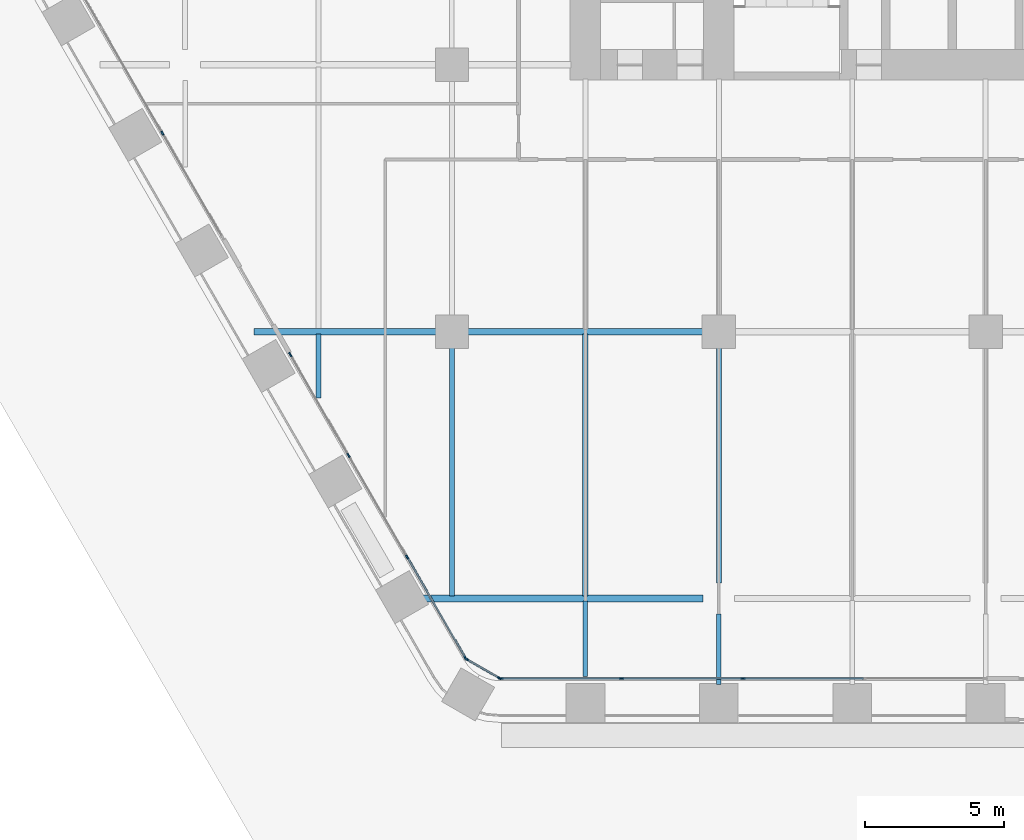
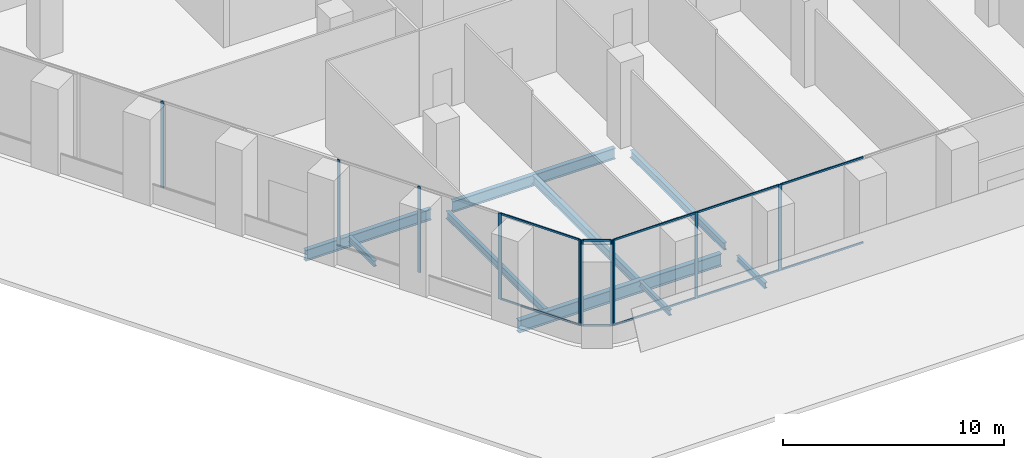
# One storey, part 2 of 29: 20 members, 9 beams, 4 elements without a shape of their own.
"""IFC4 building model written with IfcOpenShell, lengths in metres."""

from ifc_helpers import new_model, si_unit, direction, frame, origin, origin_2d, place, context, subcontext, project, spatial, rectangle, i_section, extrude, material, material_profile, profile_set, type_object, element, aggregate, save


model = new_model("IFC4")

# Units and contexts
model_context = context("Model", 3, precision=1e-05, world=origin(), true_north=direction((0.0, 1.0)))
body_context = subcontext(model_context, "Body", "Model", "MODEL_VIEW")
ifc_project = project(units=[si_unit("LENGTHUNIT", "METRE"), si_unit("AREAUNIT", "SQUARE_METRE"), si_unit("VOLUMEUNIT", "CUBIC_METRE"), si_unit("PLANEANGLEUNIT", "RADIAN"), si_unit("MASSUNIT", "GRAM", prefix="KILO")], contexts=[model_context])

# Site, building, storey
site_placement = place(None, origin())
site = spatial("IfcSite", under=ifc_project, at=site_placement, CompositionType="ELEMENT")
building_placement = place(site_placement, origin())
building = spatial("IfcBuilding", under=site, at=building_placement, Name="Kolab Exchange Tower", CompositionType="ELEMENT")
storey_placement = place(building_placement, frame((0.0, 0.0, 17.39990234375)))
storey = spatial("IfcBuildingStorey", under=building, at=storey_placement, Name="L03", CompositionType="ELEMENT", Elevation=17.39990234375)

# Beams
ifc_material_1 = material(Name="Steel S355", Category="steel")
ifc_material_profile_1 = material_profile(ifc_material_1, i_section(OverallWidth=0.1650390625, OverallDepth=0.31005859375, WebThickness=0.005859375, FlangeThickness=0.009765625, at=origin_2d()), Name="W310X39")
ifc_profile_set_1 = profile_set([ifc_material_profile_1], Name="Steel S355")
beam_type_1 = type_object("IfcBeamType", Name="FLOOR BEAM W310X39", PredefinedType="BEAM", material=ifc_profile_set_1)
beam_1_placement = place(storey_placement, frame((-24.0, -21.58154296875, -0.40478515625), z_axis=(0.0, 1.0, 0.0), x_axis=(-1.0, 0.0, 0.0)))
element("IfcBeam", 1, at=beam_1_placement, inside=storey, type_object=beam_type_1, Name="beam/L03/fr/006", PredefinedType="BEAM", context=body_context, shape_type="SweptSolid", body=[
    extrude(i_section(OverallWidth=0.1650390625, OverallDepth=0.31005859375, WebThickness=0.005859375, FlangeThickness=0.009765625, at=origin_2d()), origin(), (0.0, 0.0, 1.0), 2.3076171875),
])
beam_2_placement = place(storey_placement, frame((-14.39990234375, -31.595458984375, -0.40478515625), z_axis=(0.0, 1.0, 0.0), x_axis=(-1.0, 0.0, 0.0)))
element("IfcBeam", 2, at=beam_2_placement, inside=storey, type_object=beam_type_1, Name="beam/L03/fr/019", PredefinedType="BEAM", context=body_context, shape_type="SweptSolid", body=[
    extrude(i_section(OverallWidth=0.1650390625, OverallDepth=0.31005859375, WebThickness=0.005859375, FlangeThickness=0.009765625, at=origin_2d()), origin(), (0.0, 0.0, 1.0), 2.70849609375),
])
beam_3_placement = place(storey_placement, frame((-9.60009765625, -31.8955078125, -0.40478515625), z_axis=(0.0, 1.0, 0.0), x_axis=(-1.0, 0.0, 0.0)))
element("IfcBeam", 3, at=beam_3_placement, inside=storey, type_object=beam_type_1, Name="beam/L03/fr/025", PredefinedType="BEAM", context=body_context, shape_type="SweptSolid", body=[
    extrude(i_section(OverallWidth=0.1650390625, OverallDepth=0.31005859375, WebThickness=0.005859375, FlangeThickness=0.009765625, at=origin_2d()), origin(), (0.0, 0.0, 1.0), 2.535400390625),
])
ifc_material_profile_2 = material_profile(ifc_material_1, i_section(OverallWidth=0.177978515625, OverallDepth=0.406982421875, WebThickness=0.0078125, FlangeThickness=0.0126953125, at=origin_2d()), Name="W410X60")
ifc_profile_set_2 = profile_set([ifc_material_profile_2], Name="Steel S355")
beam_type_2 = type_object("IfcBeamType", Name="FLOOR BEAM W410X60", PredefinedType="BEAM", material=ifc_profile_set_2)
beam_4_placement = place(storey_placement, frame((-19.199951171875, -28.712890625, -0.453369140625), z_axis=(0.0, 1.0, 0.0), x_axis=(-1.0, 0.0, 0.0)))
element("IfcBeam", 4, at=beam_4_placement, inside=storey, type_object=beam_type_2, Name="beam/L03/fr/012", PredefinedType="BEAM", context=body_context, shape_type="SweptSolid", body=[
    extrude(i_section(OverallWidth=0.177978515625, OverallDepth=0.406982421875, WebThickness=0.0078125, FlangeThickness=0.0126953125, at=origin_2d()), origin(), (0.0, 0.0, 1.0), 8.952880859375),
])
beam_5_placement = place(storey_placement, frame((-9.60009765625, -28.239990234375, -0.453369140625), z_axis=(0.0, 1.0, 0.0), x_axis=(-1.0, 0.0, 0.0)))
element("IfcBeam", 5, at=beam_5_placement, inside=storey, type_object=beam_type_2, Name="beam/L03/fr/026", PredefinedType="BEAM", context=body_context, shape_type="SweptSolid", body=[
    extrude(i_section(OverallWidth=0.177978515625, OverallDepth=0.406982421875, WebThickness=0.0078125, FlangeThickness=0.0126953125, at=origin_2d()), origin(), (0.0, 0.0, 1.0), 8.47998046875),
])
ifc_material_profile_3 = material_profile(ifc_material_1, i_section(OverallWidth=0.18994140625, OverallDepth=0.45703125, WebThickness=0.009033203125, FlangeThickness=0.014404296875, at=origin_2d()), Name="W460X74")
ifc_profile_set_3 = profile_set([ifc_material_profile_3], Name="Steel S355")
beam_type_3 = type_object("IfcBeamType", Name="FLOOR BEAM W460X74", PredefinedType="BEAM", material=ifc_profile_set_3)
beam_6_placement = place(storey_placement, frame((-14.39990234375, -28.712890625, -0.478515625), z_axis=(0.0, 1.0, 0.0), x_axis=(-1.0, 0.0, 0.0)))
element("IfcBeam", 6, at=beam_6_placement, inside=storey, type_object=beam_type_3, Name="beam/L03/fr/020", PredefinedType="BEAM", context=body_context, shape_type="SweptSolid", body=[
    extrude(i_section(OverallWidth=0.18994140625, OverallDepth=0.45703125, WebThickness=0.009033203125, FlangeThickness=0.014404296875, at=origin_2d()), origin(), (0.0, 0.0, 1.0), 9.43896484375),
])
ifc_material_profile_4 = material_profile(ifc_material_1, i_section(OverallWidth=0.22802734375, OverallDepth=0.60791015625, WebThickness=0.01123046875, FlangeThickness=0.017333984375, at=origin_2d()), Name="W610X113")
ifc_profile_set_4 = profile_set([ifc_material_profile_4], Name="Steel S355")
beam_type_4 = type_object("IfcBeamType", Name="FLOOR GIRDER W610X113", PredefinedType="BEAM", material=ifc_profile_set_4)
beam_7_placement = place(storey_placement, frame((-26.315673828125, -19.199951171875, -0.553955078125), z_axis=(1.0, 0.0, 0.0), x_axis=(0.0, 1.0, 0.0)))
element("IfcBeam", 7, at=beam_7_placement, inside=storey, type_object=beam_type_4, Name="beam/L03/gd/005", PredefinedType="BEAM", context=body_context, shape_type="SweptSolid", body=[
    extrude(i_section(OverallWidth=0.22802734375, OverallDepth=0.60791015625, WebThickness=0.01123046875, FlangeThickness=0.017333984375, at=origin_2d()), origin(), (0.0, 0.0, 1.0), 6.5556640625),
])
beam_8_placement = place(storey_placement, frame((-18.639892578125, -19.199951171875, -0.553955078125), z_axis=(1.0, 0.0, 0.0), x_axis=(0.0, 1.0, 0.0)))
element("IfcBeam", 8, at=beam_8_placement, inside=storey, type_object=beam_type_4, Name="beam/L03/gd/009", PredefinedType="BEAM", context=body_context, shape_type="SweptSolid", body=[
    extrude(i_section(OverallWidth=0.22802734375, OverallDepth=0.60791015625, WebThickness=0.01123046875, FlangeThickness=0.017333984375, at=origin_2d()), origin(), (0.0, 0.0, 1.0), 8.47998046875),
])
ifc_material_profile_5 = material_profile(ifc_material_1, i_section(OverallWidth=0.25390625, OverallDepth=0.68408203125, WebThickness=0.012451171875, FlangeThickness=0.018798828125, at=origin_2d()), Name="W690X140")
ifc_profile_set_5 = profile_set([ifc_material_profile_5], Name="Steel S355")
beam_type_5 = type_object("IfcBeamType", Name="FLOOR GIRDER W690X140", PredefinedType="BEAM", material=ifc_profile_set_5)
beam_9_placement = place(storey_placement, frame((-20.757080078125, -28.800048828125, -0.591796875), z_axis=(1.0, 0.0, 0.0), x_axis=(0.0, 1.0, 0.0)))
element("IfcBeam", 9, at=beam_9_placement, inside=storey, type_object=beam_type_5, Name="beam/L03/gd/007", PredefinedType="BEAM", context=body_context, shape_type="SweptSolid", body=[
    extrude(i_section(OverallWidth=0.25390625, OverallDepth=0.68408203125, WebThickness=0.012451171875, FlangeThickness=0.018798828125, at=origin_2d()), origin(), (0.0, 0.0, 1.0), 10.59716796875),
])

# Curtain wall, members
ifc_material_2 = material(Name="Aluminium EN AW-6063 T6", Category="aluminium")
curtain_wall_type = type_object("IfcCurtainWallType", Name="UNITISED LOW ZONE CURTAIN WALL", PredefinedType="NOTDEFINED", material=ifc_material_2)
curtain_wall_1_placement = place(storey_placement, origin())
curtain_wall_1 = element("IfcCurtainWall", 10, at=curtain_wall_1_placement, inside=storey, type_object=curtain_wall_type, Name="cw/L03/F4-2", PredefinedType="NOTDEFINED")
ifc_material_profile_6 = material_profile(ifc_material_2, rectangle(XDim=0.06005859375, YDim=0.159912109375, at=origin_2d()), Name="RECT 60X160")
ifc_profile_set_6 = profile_set([ifc_material_profile_6], Name="Aluminium EN AW-6063 T6")
member_type_1 = type_object("IfcMemberType", Name="UNITISED LOW ZONE MULLION 60 X 160", PredefinedType="MULLION", material=ifc_profile_set_6)
member_1_placement = place(storey_placement, frame((-8.73388671875, -31.67529296875, 0.0), z_axis=(0.0, 0.0, 1.0), x_axis=(0.0, -1.0, 0.0)))
member_1 = element("IfcMember", 11, at=member_1_placement, type_object=member_type_1, Name="CW1 mullion 3", PredefinedType="MULLION", context=body_context, shape_type="SweptSolid", body=[
    extrude(rectangle(XDim=0.06005859375, YDim=0.159912109375, at=origin_2d()), origin(), (0.0, 0.0, 1.0), 4.75),
])
member_2_placement = place(storey_placement, frame((-13.10107421875, -31.67529296875, 0.0), z_axis=(0.0, 0.0, 1.0), x_axis=(0.0, -1.0, 0.0)))
member_2 = element("IfcMember", 12, at=member_2_placement, type_object=member_type_1, Name="CW1 mullion 4", PredefinedType="MULLION", context=body_context, shape_type="SweptSolid", body=[
    extrude(rectangle(XDim=0.06005859375, YDim=0.159912109375, at=origin_2d()), origin(), (0.0, 0.0, 1.0), 4.75),
])
member_3_placement = place(storey_placement, frame((-17.43798828125, -31.67529296875, 0.0), z_axis=(0.0, 0.0, 1.0), x_axis=(0.0, -1.0, 0.0)))
member_3 = element("IfcMember", 13, at=member_3_placement, type_object=member_type_1, Name="CW1 mullion 5", PredefinedType="MULLION", context=body_context, shape_type="SweptSolid", body=[
    extrude(rectangle(XDim=0.06005859375, YDim=0.159912109375, at=origin_2d()), origin(), (0.0, 0.0, 1.0), 4.75),
])

curtain_wall_2_placement = place(storey_placement, origin())
curtain_wall_2 = element("IfcCurtainWall", 14, at=curtain_wall_2_placement, inside=storey, type_object=curtain_wall_type, Name="cw/L03/F5-1", PredefinedType="NOTDEFINED")
member_4_placement = place(storey_placement, frame((-18.712646484375, -30.939453125, 0.0), z_axis=(0.0, 0.0, 1.0), x_axis=(-0.866025393644, -0.500000017564, 0.0)))
member_4 = element("IfcMember", 15, at=member_4_placement, type_object=member_type_1, Name="CW1 mullion 1", PredefinedType="MULLION", context=body_context, shape_type="SweptSolid", body=[
    extrude(rectangle(XDim=0.06005859375, YDim=0.159912109375, at=origin_2d()), origin(), (0.0, 0.0, 1.0), 4.75),
])
member_5_placement = place(storey_placement, frame((-20.80908203125, -27.308349609375, 0.0), z_axis=(0.0, 0.0, 1.0), x_axis=(-0.866025393644, -0.500000017564, 0.0)))
member_5 = element("IfcMember", 16, at=member_5_placement, type_object=member_type_1, Name="CW1 mullion 2", PredefinedType="MULLION", context=body_context, shape_type="SweptSolid", body=[
    extrude(rectangle(XDim=0.06005859375, YDim=0.159912109375, at=origin_2d()), origin(), (0.0, 0.0, 1.0), 4.75),
])
member_6_placement = place(storey_placement, frame((-22.92041015625, -23.651611328125, 0.0), z_axis=(0.0, 0.0, 1.0), x_axis=(-0.866025393644, -0.500000017564, 0.0)))
member_6 = element("IfcMember", 17, at=member_6_placement, type_object=member_type_1, Name="CW1 mullion 3", PredefinedType="MULLION", context=body_context, shape_type="SweptSolid", body=[
    extrude(rectangle(XDim=0.06005859375, YDim=0.159912109375, at=origin_2d()), origin(), (0.0, 0.0, 1.0), 4.75),
])
member_7_placement = place(storey_placement, frame((-25.0166015625, -20.0205078125, 0.0), z_axis=(0.0, 0.0, 1.0), x_axis=(-0.866025393644, -0.500000017564, 0.0)))
member_7 = element("IfcMember", 18, at=member_7_placement, type_object=member_type_1, Name="CW1 mullion 4", PredefinedType="MULLION", context=body_context, shape_type="SweptSolid", body=[
    extrude(rectangle(XDim=0.06005859375, YDim=0.159912109375, at=origin_2d()), origin(), (0.0, 0.0, 1.0), 4.75),
])

# Curtain wall, member
curtain_wall_3_placement = place(storey_placement, origin())
curtain_wall_3 = element("IfcCurtainWall", 19, at=curtain_wall_3_placement, inside=storey, type_object=curtain_wall_type, Name="cw/L03/F5-2", PredefinedType="NOTDEFINED")
member_8_placement = place(storey_placement, frame((-29.615234375, -12.0556640625, 0.0), z_axis=(0.0, 0.0, 1.0), x_axis=(-0.866025422102, -0.499999968274, 0.0)))
member_8 = element("IfcMember", 20, at=member_8_placement, type_object=member_type_1, Name="CW1 mullion 2", PredefinedType="MULLION", context=body_context, shape_type="SweptSolid", body=[
    extrude(rectangle(XDim=0.06005859375, YDim=0.159912109375, at=origin_2d()), origin(), (0.0, 0.0, 1.0), 4.75),
])
aggregate(curtain_wall_3, [member_8])

# Curtain wall, members
curtain_wall_4_placement = place(storey_placement, origin())
curtain_wall_4 = element("IfcCurtainWall", 21, at=curtain_wall_4_placement, inside=storey, type_object=curtain_wall_type, Name="cw/L03/F4F5-corner", PredefinedType="NOTDEFINED")
member_9_placement = place(storey_placement, frame((-17.493896484375, -31.660400390625, 0.0), z_axis=(0.0, 0.0, 1.0), x_axis=(-0.50000002237, -0.866025390869, 0.0)))
member_9 = element("IfcMember", 22, at=member_9_placement, type_object=member_type_1, Name="CW1 mullion 1", PredefinedType="MULLION", context=body_context, shape_type="SweptSolid", body=[
    extrude(rectangle(XDim=0.06005859375, YDim=0.159912109375, at=origin_2d()), origin(), (0.0, 0.0, 1.0), 4.75),
])
member_10_placement = place(storey_placement, frame((-18.671630859375, -30.98046875, 0.0), z_axis=(0.0, 0.0, 1.0), x_axis=(-0.50000002237, -0.866025390869, 0.0)))
member_10 = element("IfcMember", 23, at=member_10_placement, type_object=member_type_1, Name="CW1 mullion 2", PredefinedType="MULLION", context=body_context, shape_type="SweptSolid", body=[
    extrude(rectangle(XDim=0.06005859375, YDim=0.159912109375, at=origin_2d()), origin(), (0.0, 0.0, 1.0), 4.75),
])

# Member
ifc_material_profile_7 = material_profile(ifc_material_2, rectangle(XDim=0.06005859375, YDim=0.10009765625, at=origin_2d()), Name="RECT 60X100")
ifc_profile_set_7 = profile_set([ifc_material_profile_7], Name="Aluminium EN AW-6063 T6")
member_type_2 = type_object("IfcMemberType", Name="UNITISED LOW ZONE TRANSOM 60 X 100", PredefinedType="USERDEFINED", material=ifc_profile_set_7)
member_11_placement = place(storey_placement, frame((-4.39697265625, -31.67529296875, 0.030029296875), z_axis=(-1.0, 0.0, 0.0), x_axis=(0.0, -1.0, 0.0)))
member_11 = element("IfcMember", 24, at=member_11_placement, type_object=member_type_2, Name="CW1 transom 2.1", ObjectType="TRANSOM", PredefinedType="USERDEFINED", context=body_context, shape_type="SweptSolid", body=[
    extrude(rectangle(XDim=0.06005859375, YDim=0.10009765625, at=origin_2d()), origin(), (0.0, 0.0, 1.0), 4.306884765625),
])

member_12_placement = place(storey_placement, frame((-4.39697265625, -31.67529296875, 4.72021484375), z_axis=(-1.0, 0.0, 0.0), x_axis=(0.0, -1.0, 0.0)))
member_12 = element("IfcMember", 25, at=member_12_placement, type_object=member_type_2, Name="CW1 transom 2.2", ObjectType="TRANSOM", PredefinedType="USERDEFINED", context=body_context, shape_type="SweptSolid", body=[
    extrude(rectangle(XDim=0.06005859375, YDim=0.10009765625, at=origin_2d()), origin(), (0.0, 0.0, 1.0), 4.306884765625),
])

member_13_placement = place(storey_placement, frame((-8.763916015625, -31.67529296875, 0.030029296875), z_axis=(-1.0, 0.0, 0.0), x_axis=(0.0, -1.0, 0.0)))
member_13 = element("IfcMember", 26, at=member_13_placement, type_object=member_type_2, Name="CW1 transom 3.1", ObjectType="TRANSOM", PredefinedType="USERDEFINED", context=body_context, shape_type="SweptSolid", body=[
    extrude(rectangle(XDim=0.06005859375, YDim=0.10009765625, at=origin_2d()), origin(), (0.0, 0.0, 1.0), 4.30712890625),
])

member_14_placement = place(storey_placement, frame((-8.763916015625, -31.67529296875, 4.72021484375), z_axis=(-1.0, 0.0, 0.0), x_axis=(0.0, -1.0, 0.0)))
member_14 = element("IfcMember", 27, at=member_14_placement, type_object=member_type_2, Name="CW1 transom 3.2", ObjectType="TRANSOM", PredefinedType="USERDEFINED", context=body_context, shape_type="SweptSolid", body=[
    extrude(rectangle(XDim=0.06005859375, YDim=0.10009765625, at=origin_2d()), origin(), (0.0, 0.0, 1.0), 4.30712890625),
])

member_15_placement = place(storey_placement, frame((-13.130859375, -31.67529296875, 0.030029296875), z_axis=(-1.0, 0.0, 0.0), x_axis=(0.0, -1.0, 0.0)))
member_15 = element("IfcMember", 28, at=member_15_placement, type_object=member_type_2, Name="CW1 transom 4.1", ObjectType="TRANSOM", PredefinedType="USERDEFINED", context=body_context, shape_type="SweptSolid", body=[
    extrude(rectangle(XDim=0.06005859375, YDim=0.10009765625, at=origin_2d()), origin(), (0.0, 0.0, 1.0), 4.277099609375),
])

member_16_placement = place(storey_placement, frame((-13.130859375, -31.67529296875, 4.72021484375), z_axis=(-1.0, 0.0, 0.0), x_axis=(0.0, -1.0, 0.0)))
member_16 = element("IfcMember", 29, at=member_16_placement, type_object=member_type_2, Name="CW1 transom 4.2", ObjectType="TRANSOM", PredefinedType="USERDEFINED", context=body_context, shape_type="SweptSolid", body=[
    extrude(rectangle(XDim=0.06005859375, YDim=0.10009765625, at=origin_2d()), origin(), (0.0, 0.0, 1.0), 4.277099609375),
])

aggregate(curtain_wall_1, [member_1, member_2, member_3, member_11, member_12, member_13, member_14, member_15, member_16])

member_17_placement = place(storey_placement, frame((-18.727783203125, -30.913330078125, 0.030029296875), z_axis=(-0.499983268986, 0.866035063224, 0.0), x_axis=(-0.866035063224, -0.499983268986, 0.0)))
member_17 = element("IfcMember", 30, at=member_17_placement, type_object=member_type_2, Name="CW1 transom 1.1", ObjectType="TRANSOM", PredefinedType="USERDEFINED", context=body_context, shape_type="SweptSolid", body=[
    extrude(rectangle(XDim=0.06005859375, YDim=0.10009765625, at=origin_2d()), origin(), (0.0, 0.0, 1.0), 4.132568359375),
])

member_18_placement = place(storey_placement, frame((-18.727783203125, -30.913330078125, 4.72021484375), z_axis=(-0.499983268986, 0.866035063224, 0.0), x_axis=(-0.866035063224, -0.499983268986, 0.0)))
member_18 = element("IfcMember", 31, at=member_18_placement, type_object=member_type_2, Name="CW1 transom 1.2", ObjectType="TRANSOM", PredefinedType="USERDEFINED", context=body_context, shape_type="SweptSolid", body=[
    extrude(rectangle(XDim=0.06005859375, YDim=0.10009765625, at=origin_2d()), origin(), (0.0, 0.0, 1.0), 4.132568359375),
])

aggregate(curtain_wall_2, [member_4, member_5, member_6, member_7, member_17, member_18])

member_19_placement = place(storey_placement, frame((-17.52001953125, -31.645263671875, 0.030029296875), z_axis=(-0.86603858612, 0.49997716683, 0.0), x_axis=(-0.49997716683, -0.86603858612, 0.0)))
member_19 = element("IfcMember", 32, at=member_19_placement, type_object=member_type_2, Name="CW1 transom 1.1", ObjectType="TRANSOM", PredefinedType="USERDEFINED", context=body_context, shape_type="SweptSolid", body=[
    extrude(rectangle(XDim=0.06005859375, YDim=0.10009765625, at=origin_2d()), origin(), (0.0, 0.0, 1.0), 1.2998046875),
])

member_20_placement = place(storey_placement, frame((-17.52001953125, -31.645263671875, 4.72021484375), z_axis=(-0.86603858612, 0.49997716683, 0.0), x_axis=(-0.49997716683, -0.86603858612, 0.0)))
member_20 = element("IfcMember", 33, at=member_20_placement, type_object=member_type_2, Name="CW1 transom 1.2", ObjectType="TRANSOM", PredefinedType="USERDEFINED", context=body_context, shape_type="SweptSolid", body=[
    extrude(rectangle(XDim=0.06005859375, YDim=0.10009765625, at=origin_2d()), origin(), (0.0, 0.0, 1.0), 1.2998046875),
])

aggregate(curtain_wall_4, [member_9, member_10, member_19, member_20])

save(model, "model.ifc")
